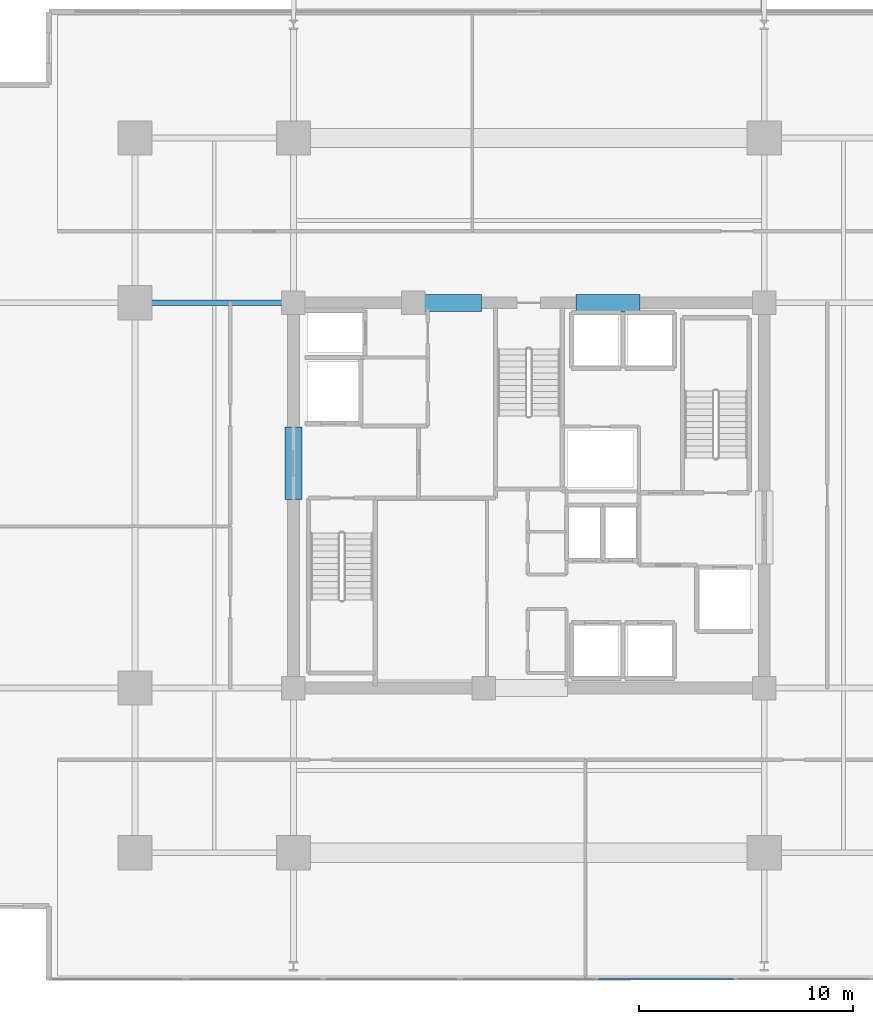
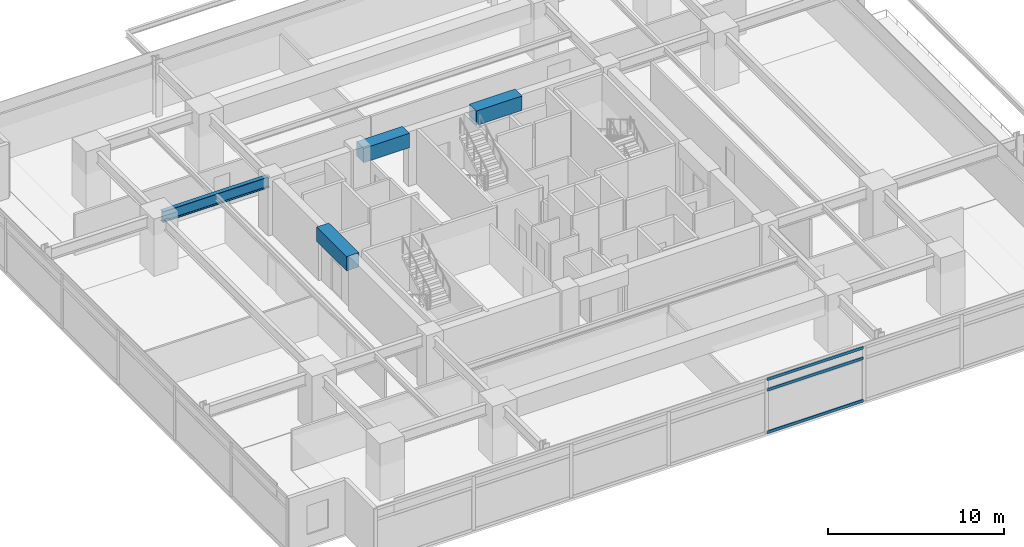
# One storey, part 7 of 20: 4 beams, 3 members, 1 element without a shape of its own.
"""IFC4 building model written with IfcOpenShell, lengths in metres."""

from ifc_helpers import new_model, si_unit, direction, frame, origin, origin_2d, place, context, subcontext, project, spatial, rectangle, hollow_rectangle, i_section, extrude, material, material_profile, profile_set, type_object, element, aggregate, save


model = new_model("IFC4")

# Units and contexts
model_context = context("Model", 3, precision=1e-05, world=origin(), true_north=direction((0.0, 1.0)))
body_context = subcontext(model_context, "Body", "Model", "MODEL_VIEW")
ifc_project = project(units=[si_unit("LENGTHUNIT", "METRE"), si_unit("AREAUNIT", "SQUARE_METRE"), si_unit("VOLUMEUNIT", "CUBIC_METRE"), si_unit("PLANEANGLEUNIT", "RADIAN"), si_unit("MASSUNIT", "GRAM", prefix="KILO")], contexts=[model_context])

# Site, building, storey
site_placement = place(None, origin())
site = spatial("IfcSite", under=ifc_project, at=site_placement, CompositionType="ELEMENT")
building_placement = place(site_placement, origin())
building = spatial("IfcBuilding", under=site, at=building_placement, Name="Kovane Verandah Tower", CompositionType="ELEMENT")
storey_placement = place(building_placement, frame((0.0, 0.0, 128.39990234375)))
storey = spatial("IfcBuildingStorey", under=building, at=storey_placement, Name="L29", CompositionType="ELEMENT", Elevation=128.39990234375)

# Beams
ifc_material_1 = material(Name="Concrete C60/75", Category="concrete")
ifc_material_profile_1 = material_profile(ifc_material_1, rectangle(XDim=0.800048828125, YDim=1.0, at=origin_2d()), Name="RCB800x1000")
ifc_profile_set_1 = profile_set([ifc_material_profile_1], Name="Concrete C60/75")
beam_type_1 = type_object("IfcBeamType", Name="BM-LINTEL-800x1000", PredefinedType="LINTEL", material=ifc_profile_set_1)
for number, where, z_axis, x_axis, name in (
    (1, (34.800048828125, 36.5, 3.275146484375), (1.0, 0.0, 0.0), (0.0, 1.0, 0.0), "L29 Core Coupling Lintel CL-N1"),
    (2, (42.199951171875, 36.5, 3.275146484375), (1.0, 0.0, 0.0), (0.0, 1.0, 0.0), "L29 Core Coupling Lintel CL-N2"),
):
    element("IfcBeam", number, at=place(storey_placement, frame(where, z_axis=z_axis, x_axis=x_axis)), inside=storey, type_object=beam_type_1, Name=name, PredefinedType="LINTEL", context=body_context, shape_type="SweptSolid", body=[
        extrude(rectangle(XDim=0.800048828125, YDim=1.0, at=origin_2d()), origin(), (0.0, 0.0, 1.0), 3.0),
    ])
beam_1_placement = place(storey_placement, frame((29.0, 27.300048828125, 3.275146484375), z_axis=(0.0, 1.0, 0.0), x_axis=(-1.0, 0.0, 0.0)))
element("IfcBeam", 3, at=beam_1_placement, inside=storey, type_object=beam_type_1, Name="L29 Core Coupling Lintel CL-W", PredefinedType="LINTEL", context=body_context, shape_type="SweptSolid", body=[
    extrude(rectangle(XDim=0.800048828125, YDim=1.0, at=origin_2d()), origin(), (0.0, 0.0, 1.0), 3.39990234375),
])
ifc_material_2 = material(Name="Steel S355", Category="steel")
ifc_material_profile_2 = material_profile(ifc_material_2, i_section(OverallWidth=0.26806640625, OverallDepth=0.769775390625, WebThickness=0.015625, FlangeThickness=0.025390625, FilletRadius=0.0166015625, at=origin_2d()), Name="UB762x267x197")
ifc_profile_set_2 = profile_set([ifc_material_profile_2], Name="Steel S355")
beam_type_2 = type_object("IfcBeamType", Name="BM-UB762x197", PredefinedType="BEAM", material=ifc_profile_set_2)
beam_2_placement = place(storey_placement, frame((28.820068359375, 36.5, 3.39013671875), z_axis=(-1.0, 0.0, 0.0), x_axis=(0.0, -1.0, 0.0)))
element("IfcBeam", 4, at=beam_2_placement, inside=storey, type_object=beam_type_2, Name="L29 Primary Tower Girder G-W2", PredefinedType="BEAM", context=body_context, shape_type="SweptSolid", body=[
    extrude(i_section(OverallWidth=0.26806640625, OverallDepth=0.769775390625, WebThickness=0.015625, FlangeThickness=0.025390625, FilletRadius=0.0166015625, at=origin_2d()), origin(), (0.0, 0.0, 1.0), 7.0400390625),
])

# Curtain wall, members
ifc_material_3 = material(Name="Champagne Anodised Aluminium Frame with Low-E Clear Laminated Glass", Category="aluminium")
curtain_wall_type = type_object("IfcCurtainWallType", Name="CW-SYS-03-MID", PredefinedType="NOTDEFINED", material=ifc_material_3)
curtain_wall_placement = place(storey_placement, origin())
curtain_wall = element("IfcCurtainWall", 5, at=curtain_wall_placement, inside=storey, type_object=curtain_wall_type, Name="L29 S Unitised Curtain Wall", PredefinedType="NOTDEFINED")
ifc_material_4 = material(Name="Champagne Anodised Aluminium 6063-T6", Category="aluminium")
ifc_material_profile_3 = material_profile(ifc_material_4, hollow_rectangle(XDim=0.0849609375, YDim=0.18994140625, WallThickness=0.00390625, at=origin_2d()), Name="AL85x190x4")
ifc_profile_set_3 = profile_set([ifc_material_profile_3], Name="Champagne Anodised Aluminium 6063-T6")
member_type = type_object("IfcMemberType", Name="CW-TRN-85x190", PredefinedType="USERDEFINED", material=ifc_profile_set_3)
member_1_placement = place(storey_placement, frame((43.254150390625, 4.89990234375, 0.050048828125), z_axis=(1.0, 0.0, 0.0), x_axis=(0.0, 1.0, 0.0)))
member_1 = element("IfcMember", 6, at=member_1_placement, type_object=member_type, Name="L29 S Unitised Curtain Wall Transom TB Bay 5", ObjectType="TRANSOM", PredefinedType="USERDEFINED", context=body_context, shape_type="SweptSolid", body=[
    extrude(hollow_rectangle(XDim=0.0849609375, YDim=0.18994140625, WallThickness=0.00390625, at=origin_2d()), origin(), (0.0, 0.0, 1.0), 6.30810546875),
])
member_2_placement = place(storey_placement, frame((43.254150390625, 4.89990234375, 2.9951171875), z_axis=(1.0, 0.0, 0.0), x_axis=(0.0, 1.0, 0.0)))
member_2 = element("IfcMember", 7, at=member_2_placement, type_object=member_type, Name="L29 S Unitised Curtain Wall Transom TM Bay 5", ObjectType="TRANSOM", PredefinedType="USERDEFINED", context=body_context, shape_type="SweptSolid", body=[
    extrude(hollow_rectangle(XDim=0.0849609375, YDim=0.18994140625, WallThickness=0.00390625, at=origin_2d()), origin(), (0.0, 0.0, 1.0), 6.30810546875),
])
member_3_placement = place(storey_placement, frame((43.254150390625, 4.89990234375, 3.72509765625), z_axis=(1.0, 0.0, 0.0), x_axis=(0.0, 1.0, 0.0)))
member_3 = element("IfcMember", 8, at=member_3_placement, type_object=member_type, Name="L29 S Unitised Curtain Wall Transom TT Bay 5", ObjectType="TRANSOM", PredefinedType="USERDEFINED", context=body_context, shape_type="SweptSolid", body=[
    extrude(hollow_rectangle(XDim=0.0849609375, YDim=0.18994140625, WallThickness=0.00390625, at=origin_2d()), origin(), (0.0, 0.0, 1.0), 6.30810546875),
])
aggregate(curtain_wall, [member_1, member_2, member_3])

save(model, "model.ifc")
